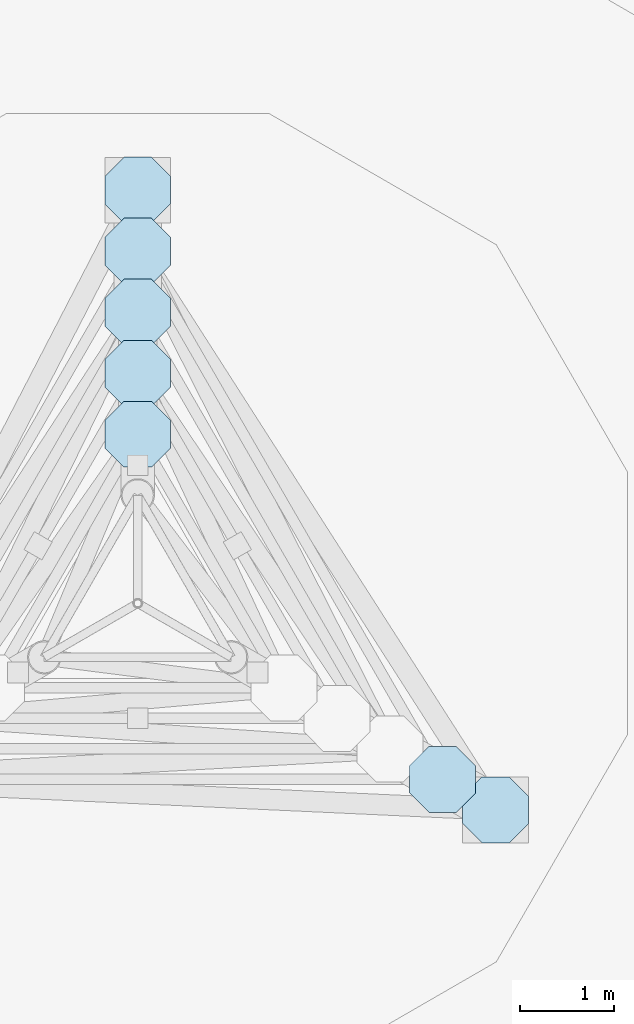
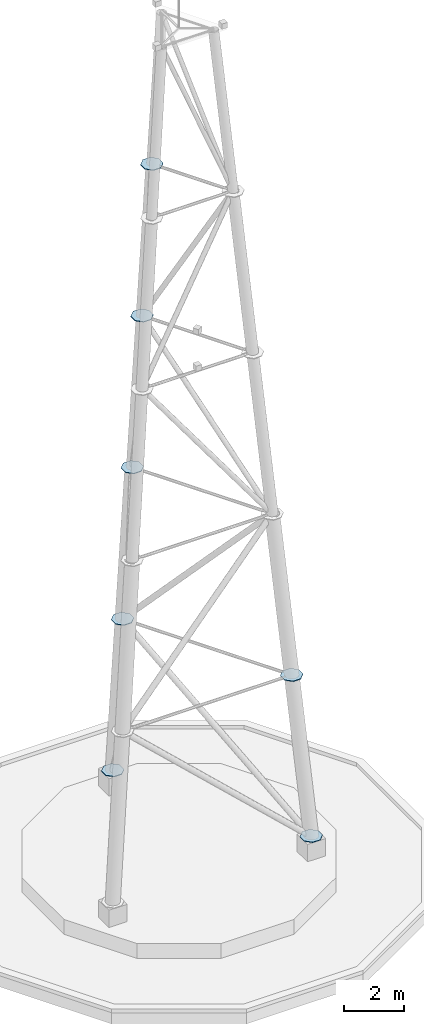
# One storey, part 5 of 7: 7 plates.
"""IFC4 building model written with IfcOpenShell, lengths in metres."""

from ifc_helpers import new_model, si_unit, direction, frame, origin, place, context, subcontext, project, spatial, polyline, outline, extrude, material, layer, layer_set, type_object, element, save


model = new_model("IFC4")

# Units and contexts
model_context = context("Model", 3, precision=1e-05, world=origin(), true_north=direction((0.0, 1.0)))
body_context = subcontext(model_context, "Body", "Model", "MODEL_VIEW")
ifc_project = project(units=[si_unit("LENGTHUNIT", "METRE"), si_unit("AREAUNIT", "SQUARE_METRE"), si_unit("VOLUMEUNIT", "CUBIC_METRE"), si_unit("PLANEANGLEUNIT", "RADIAN"), si_unit("MASSUNIT", "GRAM", prefix="KILO")], contexts=[model_context])

# Site, building, storey
site_placement = place(None, origin())
site = spatial("IfcSite", under=ifc_project, at=site_placement, CompositionType="ELEMENT")
building_placement = place(site_placement, origin())
building = spatial("IfcBuilding", under=site, at=building_placement, Name="Trine Commons Tower", CompositionType="ELEMENT")
storey_placement = place(building_placement, frame((0.0, 0.0, 314.10009765625)))
storey = spatial("IfcBuildingStorey", under=building, at=storey_placement, Name="ROOF MAST BASE", CompositionType="ELEMENT", Elevation=314.10009765625)

# Plates
ifc_material = material(Name="Structural steel plate ASTM A572 Gr50, galvanised", Category="steel")
ifc_layer = layer(ifc_material, 0.02490234375)
ifc_layer_set = layer_set([ifc_layer], Name="Structural steel plate ASTM A572 Gr50, galvanised")
plate_type = type_object("IfcPlateType", Name="Mast node plate 25", PredefinedType="SHEET", material=ifc_layer_set)
plate_1_placement = place(storey_placement, frame((0.0, 0.0, 1.75)))
element("IfcPlate", 1, at=plate_1_placement, inside=storey, type_object=plate_type, Name="MAST node plate A level 1", PredefinedType="SHEET", context=body_context, shape_type="SweptSolid", body=[
    extrude(outline(polyline([(80.35107421875, 67.04541015625), (80.1455078125, 67.251220703125), (79.8544921875, 67.251220703125), (79.64892578125, 67.04541015625), (79.64892578125, 66.754638671875), (79.8544921875, 66.548828125), (80.1455078125, 66.548828125), (80.35107421875, 66.754638671875), (80.35107421875, 67.04541015625)])), origin(), (0.0, 0.0, 1.0), 0.02490234375),
])
plate_2_placement = place(storey_placement, frame((0.0, 0.0, 1.75)))
element("IfcPlate", 2, at=plate_2_placement, inside=storey, type_object=plate_type, Name="MAST node plate C level 1", PredefinedType="SHEET", context=body_context, shape_type="SweptSolid", body=[
    extrude(outline(polyline([(84.16162109375, 60.4453125), (83.955810546875, 60.651123046875), (83.6650390625, 60.651123046875), (83.45947265625, 60.4453125), (83.45947265625, 60.154541015625), (83.6650390625, 59.948974609375), (83.955810546875, 59.948974609375), (84.16162109375, 60.154541015625), (84.16162109375, 60.4453125)])), origin(), (0.0, 0.0, 1.0), 0.02490234375),
])
plate_3_placement = place(storey_placement, frame((0.0, 0.0, 8.287353515625)))
element("IfcPlate", 3, at=plate_3_placement, inside=storey, type_object=plate_type, Name="MAST node plate A level 2", PredefinedType="SHEET", context=body_context, shape_type="SweptSolid", body=[
    extrude(outline(polyline([(80.35107421875, 66.3955078125), (80.1455078125, 66.60107421875), (79.8544921875, 66.60107421875), (79.64892578125, 66.3955078125), (79.64892578125, 66.1044921875), (79.8544921875, 65.89892578125), (80.1455078125, 65.89892578125), (80.35107421875, 66.1044921875), (80.35107421875, 66.3955078125)])), origin(), (0.0, 0.0, 1.0), 0.025146484375),
])
plate_4_placement = place(storey_placement, frame((0.0, 0.0, 8.287353515625)))
element("IfcPlate", 4, at=plate_4_placement, inside=storey, type_object=plate_type, Name="MAST node plate C level 2", PredefinedType="SHEET", context=body_context, shape_type="SweptSolid", body=[
    extrude(outline(polyline([(83.5986328125, 60.7705078125), (83.39306640625, 60.97607421875), (83.102294921875, 60.97607421875), (82.896484375, 60.7705078125), (82.896484375, 60.4794921875), (83.102294921875, 60.27392578125), (83.39306640625, 60.27392578125), (83.5986328125, 60.4794921875), (83.5986328125, 60.7705078125)])), origin(), (0.0, 0.0, 1.0), 0.025146484375),
])
plate_5_placement = place(storey_placement, frame((0.0, 0.0, 14.83740234375)))
element("IfcPlate", 5, at=plate_5_placement, inside=storey, type_object=plate_type, Name="MAST node plate A level 3", PredefinedType="SHEET", context=body_context, shape_type="SweptSolid", body=[
    extrude(outline(polyline([(80.35107421875, 65.745361328125), (80.1455078125, 65.951171875), (79.8544921875, 65.951171875), (79.64892578125, 65.745361328125), (79.64892578125, 65.45458984375), (79.8544921875, 65.248779296875), (80.1455078125, 65.248779296875), (80.35107421875, 65.45458984375), (80.35107421875, 65.745361328125)])), origin(), (0.0, 0.0, 1.0), 0.02490234375),
])
plate_6_placement = place(storey_placement, frame((0.0, 0.0, 21.387451171875)))
element("IfcPlate", 6, at=plate_6_placement, inside=storey, type_object=plate_type, Name="MAST node plate A level 4", PredefinedType="SHEET", context=body_context, shape_type="SweptSolid", body=[
    extrude(outline(polyline([(80.35107421875, 65.095458984375), (80.1455078125, 65.301025390625), (79.8544921875, 65.301025390625), (79.64892578125, 65.095458984375), (79.64892578125, 64.8046875), (79.8544921875, 64.598876953125), (80.1455078125, 64.598876953125), (80.35107421875, 64.8046875), (80.35107421875, 65.095458984375)])), origin(), (0.0, 0.0, 1.0), 0.02490234375),
])
plate_7_placement = place(storey_placement, frame((0.0, 0.0, 27.9375)))
element("IfcPlate", 7, at=plate_7_placement, inside=storey, type_object=plate_type, Name="MAST node plate A level 5", PredefinedType="SHEET", context=body_context, shape_type="SweptSolid", body=[
    extrude(outline(polyline([(80.35107421875, 64.4453125), (80.1455078125, 64.651123046875), (79.8544921875, 64.651123046875), (79.64892578125, 64.4453125), (79.64892578125, 64.154541015625), (79.8544921875, 63.948974609375), (80.1455078125, 63.948974609375), (80.35107421875, 64.154541015625), (80.35107421875, 64.4453125)])), origin(), (0.0, 0.0, 1.0), 0.02490234375),
])

save(model, "model.ifc")
